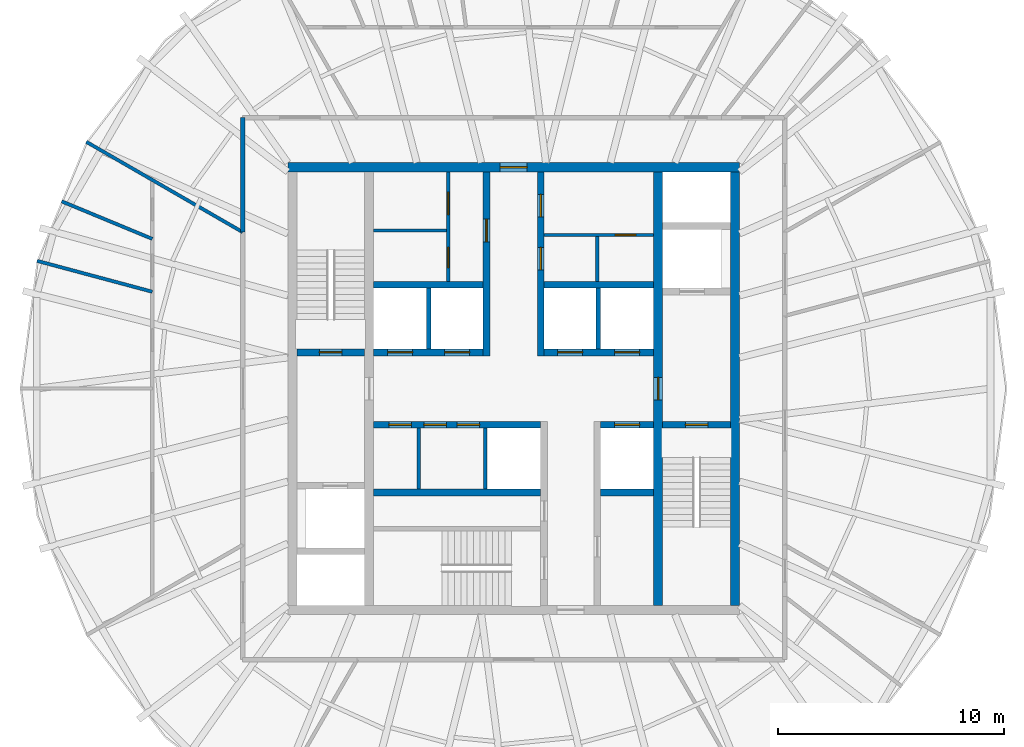
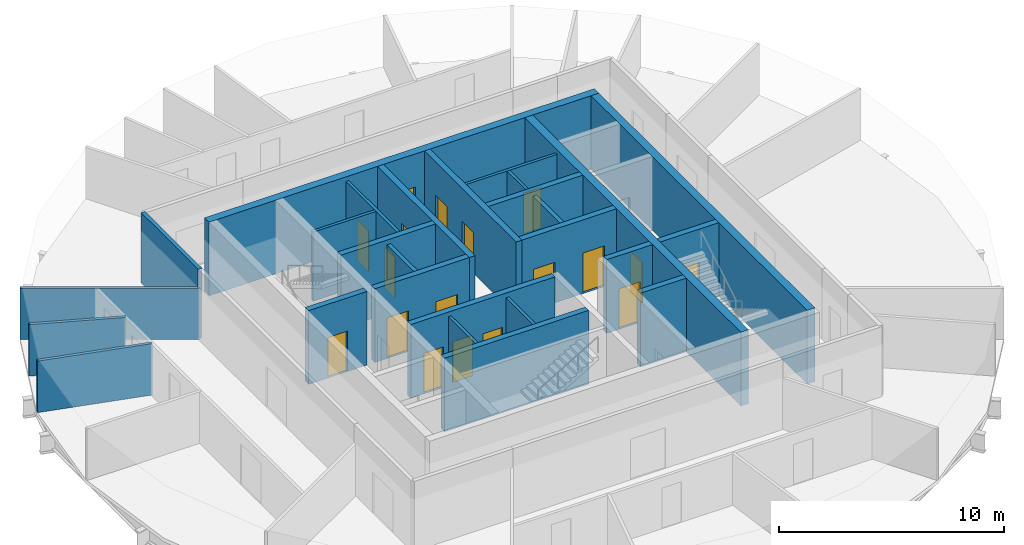
# One storey, part 4 of 7: 27 walls, 18 doors, 18 openings.
"""IFC4 building model written with IfcOpenShell, lengths in metres."""

from ifc_helpers import new_model, si_unit, direction, frame, frame_2d, origin, place, context, subcontext, project, spatial, rectangle, extrude, material, layer, layer_set, type_object, element, fill, save


model = new_model("IFC4")

# Units and contexts
model_context = context("Model", 3, precision=1e-05, world=origin(), true_north=direction((0.0, 1.0)))
body_context = subcontext(model_context, "Body", "Model", "MODEL_VIEW")
ifc_project = project(units=[si_unit("LENGTHUNIT", "METRE"), si_unit("AREAUNIT", "SQUARE_METRE"), si_unit("VOLUMEUNIT", "CUBIC_METRE"), si_unit("PLANEANGLEUNIT", "RADIAN"), si_unit("MASSUNIT", "GRAM", prefix="KILO")], contexts=[model_context])

# Site, building, storey
site_placement = place(None, origin())
site = spatial("IfcSite", under=ifc_project, at=site_placement, CompositionType="ELEMENT")
building_placement = place(site_placement, origin())
building = spatial("IfcBuilding", under=site, at=building_placement, Name="Golbaran Civic Tower", CompositionType="ELEMENT")
storey_placement = place(building_placement, frame((0.0, 0.0, 268.0)))
storey = spatial("IfcBuildingStorey", under=building, at=storey_placement, Name="L65", CompositionType="ELEMENT", Elevation=268.0)

# Wall, opening, door
ifc_material_1 = material(Name="Concrete block", Category="concrete")
ifc_layer_1 = layer(ifc_material_1, 0.14990234375, Name="Concrete block")
ifc_layer_set_1 = layer_set([ifc_layer_1], Name="Concrete block")
wall_type_1 = type_object("IfcWallType", Name="BLOCKWORK PARTITION 150", PredefinedType="PARTITIONING", material=ifc_layer_set_1)
wall_1_placement = place(storey_placement, frame((1.35009765625, 6.800048828125, 0.0), z_axis=(0.0, 0.0, 1.0), x_axis=(1.0, 0.0, 0.0)))
wall_1 = element("IfcWall", 1, at=wall_1_placement, inside=storey, type_object=wall_type_1, Name="Toilet block partition TN1 L65", PredefinedType="PARTITIONING", context=body_context, shape_type="SweptSolid", body=[
    extrude(rectangle(XDim=4.849853515625, YDim=0.14990234375, at=frame_2d((2.4248046875, 0.0))), origin(), (0.0, 0.0, 1.0), 3.75),
])
opening_1_placement = place(wall_1_placement, frame((3.14990234375, 0.0, 0.0)))
opening_1 = element("IfcOpeningElement", 2, at=opening_1_placement, cuts=wall_1, Name="Opening L65.CLN", PredefinedType="OPENING", context=body_context, shape_type="SweptSolid", body=[
    extrude(rectangle(XDim=0.89990234375, YDim=2.199951171875, at=frame_2d((0.449951171875, 1.10009765625))), frame((0.0, 0.0849609375, 0.0), z_axis=(0.0, -1.0, 0.0), x_axis=(1.0, 0.0, 0.0)), (0.0, 0.0, 1.0), 0.169921875),
])
ifc_material_2 = material(Name="Timber door set in steel frame", Category="steel")
door_type_1 = type_object("IfcDoorType", Name="RISER DOOR 900x2200", OperationType="SINGLE_SWING_LEFT", PredefinedType="DOOR", material=ifc_material_2)
door_1_placement = place(opening_1_placement, origin())
door_1 = element("IfcDoor", 3, at=door_1_placement, inside=storey, type_object=door_type_1, Name="Floor Store door", OperationType="SINGLE_SWING_RIGHT", OverallHeight=2.199951171875, OverallWidth=0.89990234375, PredefinedType="DOOR", context=body_context, shape_type="SweptSolid", body=[
    extrude(rectangle(XDim=0.89990234375, YDim=2.199951171875, at=frame_2d((0.449951171875, 1.10009765625))), frame((0.0, 0.02490234375, 0.0), z_axis=(0.0, -1.0, 0.0), x_axis=(1.0, 0.0, 0.0)), (0.0, 0.0, 1.0), 0.050048828125),
])
fill(opening_1, door_1)

# Walls
wall_2_placement = place(storey_placement, frame((3.699951171875, 4.75, 0.0), z_axis=(0.0, 0.0, 1.0), x_axis=(0.0, 1.0, 0.0)))
element("IfcWall", 4, at=wall_2_placement, inside=storey, type_object=wall_type_1, Name="Toilet block partition TN2 L65", PredefinedType="PARTITIONING", context=body_context, shape_type="SweptSolid", body=[
    extrude(rectangle(XDim=1.97509765625, YDim=0.14990234375, at=frame_2d((0.987548828125, 0.0))), origin(), (0.0, 0.0, 1.0), 3.75),
])
for number, where, z_axis, x_axis, name in (
    (5, (-4.199951171875, -1.75, 0.0), (0.0, 0.0, 1.0), (0.0, -1.0, 0.0), "Core room partition HP0 L65"),
    (6, (-1.25, -1.75, 0.0), (0.0, 0.0, 1.0), (0.0, -1.0, 0.0), "Lift H3 hoistway west wall L65"),
):
    element("IfcWall", number, at=place(storey_placement, frame(where, z_axis=z_axis, x_axis=x_axis)), inside=storey, type_object=wall_type_1, Name=name, PredefinedType="PARTITIONING", context=body_context, shape_type="SweptSolid", body=[
        extrude(rectangle(XDim=2.699951171875, YDim=0.14990234375, at=frame_2d((1.35009765625, 0.0))), origin(), (0.0, 0.0, 1.0), 3.75),
    ])

# Wall, opening, door
ifc_material_3 = material(Name="Concrete C50/60", Category="concrete")
ifc_layer_2 = layer(ifc_material_3, 0.39990234375, Name="Concrete C50/60")
ifc_layer_set_2 = layer_set([ifc_layer_2], Name="Concrete C50/60")
wall_type_2 = type_object("IfcWallType", Name="CORE WALL CONCRETE 400", PredefinedType="SOLIDWALL", material=ifc_layer_set_2)
wall_3_placement = place(storey_placement, frame((-10.0, 9.800048828125, 0.0), z_axis=(0.0, 0.0, 1.0), x_axis=(1.0, 0.0, 0.0)))
wall_3 = element("IfcWall", 7, at=wall_3_placement, inside=storey, type_object=wall_type_2, Name="Core wall CN L65", PredefinedType="SOLIDWALL", context=body_context, shape_type="SweptSolid", body=[
    extrude(rectangle(XDim=20.0, YDim=0.39990234375, at=frame_2d((10.0, 0.0))), origin(), (0.0, 0.0, 1.0), 4.0),
])
opening_2_placement = place(wall_3_placement, frame((9.39990234375, 0.0, 0.0)))
opening_2 = element("IfcOpeningElement", 8, at=opening_2_placement, cuts=wall_3, Name="Opening L65.CN", PredefinedType="OPENING", context=body_context, shape_type="SweptSolid", body=[
    extrude(rectangle(XDim=1.199951171875, YDim=2.199951171875, at=frame_2d((0.60009765625, 1.10009765625))), frame((0.0, 0.2099609375, 0.0), z_axis=(0.0, -1.0, 0.0), x_axis=(1.0, 0.0, 0.0)), (0.0, 0.0, 1.0), 0.419921875),
])
door_type_2 = type_object("IfcDoorType", Name="CORE DOOR 1200x2200", OperationType="DOUBLE_DOOR_SINGLE_SWING", PredefinedType="DOOR", material=ifc_material_2)
door_2_placement = place(opening_2_placement, origin())
door_2 = element("IfcDoor", 9, at=door_2_placement, inside=storey, type_object=door_type_2, Name="Core door north", OperationType="DOUBLE_DOOR_SINGLE_SWING", OverallHeight=2.199951171875, OverallWidth=1.199951171875, PredefinedType="DOOR", context=body_context, shape_type="SweptSolid", body=[
    extrude(rectangle(XDim=1.199951171875, YDim=2.199951171875, at=frame_2d((0.60009765625, 1.10009765625))), frame((0.0, 0.02490234375, 0.0), z_axis=(0.0, -1.0, 0.0), x_axis=(1.0, 0.0, 0.0)), (0.0, 0.0, 1.0), 0.050048828125),
])
fill(opening_2, door_2)

# Wall
wall_4_placement = place(storey_placement, frame((9.800048828125, -9.60009765625, 0.0), z_axis=(0.0, 0.0, 1.0), x_axis=(0.0, 1.0, 0.0)))
element("IfcWall", 10, at=wall_4_placement, inside=storey, type_object=wall_type_2, Name="Core wall CE L65", PredefinedType="SOLIDWALL", context=body_context, shape_type="SweptSolid", body=[
    extrude(rectangle(XDim=19.2001953125, YDim=0.39990234375, at=frame_2d((9.60009765625, 0.0))), origin(), (0.0, 0.0, 1.0), 4.0),
])

# Wall, opening, door
wall_5_placement = place(storey_placement, frame((6.39990234375, 9.60009765625, 0.0), z_axis=(0.0, 0.0, 1.0), x_axis=(0.0, -1.0, 0.0)))
wall_5 = element("IfcWall", 11, at=wall_5_placement, inside=storey, type_object=wall_type_2, Name="Core wall IE L65", PredefinedType="SOLIDWALL", context=body_context, shape_type="SweptSolid", body=[
    extrude(rectangle(XDim=19.2001953125, YDim=0.39990234375, at=frame_2d((9.60009765625, 0.0))), origin(), (0.0, 0.0, 1.0), 4.0),
])
opening_3_placement = place(wall_5_placement, frame((9.10009765625, 0.0, 0.0)))
opening_3 = element("IfcOpeningElement", 12, at=opening_3_placement, cuts=wall_5, Name="Opening L65.FL2", PredefinedType="OPENING", context=body_context, shape_type="SweptSolid", body=[
    extrude(rectangle(XDim=1.0, YDim=2.199951171875, at=frame_2d((0.5, 1.10009765625))), frame((0.0, 0.2099609375, 0.0), z_axis=(0.0, -1.0, 0.0), x_axis=(1.0, 0.0, 0.0)), (0.0, 0.0, 1.0), 0.419921875),
])
door_type_3 = type_object("IfcDoorType", Name="STAIR DOOR 1000x2200", OperationType="SINGLE_SWING_LEFT", PredefinedType="DOOR", material=ifc_material_2)
door_3_placement = place(opening_3_placement, origin())
door_3 = element("IfcDoor", 13, at=door_3_placement, inside=storey, type_object=door_type_3, Name="Fire-fighting lobby FL2 door", OperationType="SINGLE_SWING_RIGHT", OverallHeight=2.199951171875, OverallWidth=1.0, PredefinedType="DOOR", context=body_context, shape_type="SweptSolid", body=[
    extrude(rectangle(XDim=1.0, YDim=2.199951171875, at=frame_2d((0.5, 1.10009765625))), frame((0.0, 0.02490234375, 0.0), z_axis=(0.0, -1.0, 0.0), x_axis=(1.0, 0.0, 0.0)), (0.0, 0.0, 1.0), 0.050048828125),
])
fill(opening_3, door_3)

# Walls
ifc_material_4 = material(Name="Gypsum board on steel studs, fire-rated", Category="steel")
ifc_layer_3 = layer(ifc_material_4, 0.199951171875, Name="Gypsum board on steel studs, fire-rated")
ifc_layer_set_3 = layer_set([ifc_layer_3], Name="Gypsum board on steel studs, fire-rated")
wall_type_3 = type_object("IfcWallType", Name="CORRIDOR WALL 200", PredefinedType="PARTITIONING", material=ifc_layer_set_3)
wall_6_placement = place(storey_placement, frame((-12.0, 12.0, 0.0), z_axis=(0.0, 0.0, 1.0), x_axis=(0.0, -1.0, 0.0)))
element("IfcWall", 14, at=wall_6_placement, inside=storey, type_object=wall_type_3, Name="Corridor wall L65", PredefinedType="PARTITIONING", context=body_context, shape_type="SweptSolid", body=[
    extrude(rectangle(XDim=5.07177734375, YDim=0.199951171875, at=frame_2d((2.535888671875, 0.0))), origin(), (0.0, 0.0, 1.0), 3.800048828125),
])
ifc_layer_4 = layer(ifc_material_1, 0.199951171875, Name="Concrete block")
ifc_layer_set_4 = layer_set([ifc_layer_4], Name="Concrete block")
wall_type_4 = type_object("IfcWallType", Name="LIFT SEPARATOR WALL 200", PredefinedType="SOLIDWALL", material=ifc_layer_set_4)
for number, where, z_axis, x_axis, name in (
    (15, (-3.75, 1.75, 0.0), (0.0, 0.0, 1.0), (0.0, 1.0, 0.0), "Core partition SNW L65"),
    (16, (3.75, 1.75, 0.0), (0.0, 0.0, 1.0), (0.0, 1.0, 0.0), "Core partition SNE L65"),
):
    element("IfcWall", number, at=place(storey_placement, frame(where, z_axis=z_axis, x_axis=x_axis)), inside=storey, type_object=wall_type_4, Name=name, PredefinedType="SOLIDWALL", context=body_context, shape_type="SweptSolid", body=[
        extrude(rectangle(XDim=2.699951171875, YDim=0.199951171875, at=frame_2d((1.35009765625, 0.0))), origin(), (0.0, 0.0, 1.0), 3.75),
    ])
ifc_material_5 = material(Name="Gypsum board on steel studs", Category="steel")
ifc_layer_5 = layer(ifc_material_5, 0.14990234375, Name="Gypsum board on steel studs")
ifc_layer_set_5 = layer_set([ifc_layer_5], Name="Gypsum board on steel studs")
wall_type_5 = type_object("IfcWallType", Name="OFFICE PARTITION 150", PredefinedType="PARTITIONING", material=ifc_layer_set_5)
wall_7_placement = place(storey_placement, frame((-12.0, 6.92822265625, 0.0), z_axis=(0.0, 0.0, 1.0), x_axis=(-0.86602940896, 0.499993062769, 0.0)))
element("IfcWall", 17, at=wall_7_placement, inside=storey, type_object=wall_type_5, Name="Partition 150 L65", PredefinedType="PARTITIONING", context=body_context, shape_type="SweptSolid", body=[
    extrude(rectangle(XDim=7.99169921875, YDim=0.14990234375, at=frame_2d((3.995849609375, 0.0))), origin(), (0.0, 0.0, 1.0), 2.7900390625),
])
wall_8_placement = place(storey_placement, frame((-16.0, 6.62744140625, 0.0), z_axis=(0.0, 0.0, 1.0), x_axis=(-0.923891455003, 0.382654647655, 0.0)))
element("IfcWall", 18, at=wall_8_placement, inside=storey, type_object=wall_type_5, Name="Partition 157.5 L65", PredefinedType="PARTITIONING", context=body_context, shape_type="SweptSolid", body=[
    extrude(rectangle(XDim=4.343017578125, YDim=0.14990234375, at=frame_2d((2.17138671875, 0.0))), origin(), (0.0, 0.0, 1.0), 2.7900390625),
])
wall_9_placement = place(storey_placement, frame((-16.0, 4.287109375, 0.0), z_axis=(0.0, 0.0, 1.0), x_axis=(-0.96591979472, 0.258841554175, 0.0)))
element("IfcWall", 19, at=wall_9_placement, inside=storey, type_object=wall_type_5, Name="Partition 165 L65", PredefinedType="PARTITIONING", context=body_context, shape_type="SweptSolid", body=[
    extrude(rectangle(XDim=5.283935546875, YDim=0.14990234375, at=frame_2d((2.64208984375, 0.0))), origin(), (0.0, 0.0, 1.0), 2.7900390625),
])

# Wall, openings, doors
ifc_layer_6 = layer(ifc_material_3, 0.300048828125, Name="Concrete C50/60")
ifc_layer_set_6 = layer_set([ifc_layer_6], Name="Concrete C50/60")
wall_type_6 = type_object("IfcWallType", Name="SHAFT WALL CONCRETE 300", PredefinedType="SOLIDWALL", material=ifc_layer_set_6)
wall_10_placement = place(storey_placement, frame((-6.199951171875, 1.60009765625, 0.0), z_axis=(0.0, 0.0, 1.0), x_axis=(1.0, 0.0, 0.0)))
wall_10 = element("IfcWall", 20, at=wall_10_placement, inside=storey, type_object=wall_type_6, Name="Core wall FNW L65", PredefinedType="SOLIDWALL", context=body_context, shape_type="SweptSolid", body=[
    extrude(rectangle(XDim=4.849853515625, YDim=0.300048828125, at=frame_2d((2.4248046875, 0.0))), origin(), (0.0, 0.0, 1.0), 4.0),
])
opening_4_placement = place(wall_10_placement, frame((0.625, 0.0, 0.0)))
opening_4 = element("IfcOpeningElement", 21, at=opening_4_placement, cuts=wall_10, Name="Opening L65.LD-Z1T", PredefinedType="OPENING", context=body_context, shape_type="SweptSolid", body=[
    extrude(rectangle(XDim=1.10009765625, YDim=2.199951171875, at=frame_2d((0.550048828125, 1.10009765625))), frame((0.0, 0.159912109375, 0.0), z_axis=(0.0, -1.0, 0.0), x_axis=(1.0, 0.0, 0.0)), (0.0, 0.0, 1.0), 0.320068359375),
])
opening_5_placement = place(wall_10_placement, frame((3.14990234375, 0.0, 0.0)))
opening_5 = element("IfcOpeningElement", 22, at=opening_5_placement, cuts=wall_10, Name="Opening L65.LD-Z2T", PredefinedType="OPENING", context=body_context, shape_type="SweptSolid", body=[
    extrude(rectangle(XDim=1.10009765625, YDim=2.199951171875, at=frame_2d((0.550048828125, 1.10009765625))), frame((0.0, 0.159912109375, 0.0), z_axis=(0.0, -1.0, 0.0), x_axis=(1.0, 0.0, 0.0)), (0.0, 0.0, 1.0), 0.320068359375),
])
ifc_material_6 = material(Name="Stainless steel", Category="steel")
door_type_4 = type_object("IfcDoorType", Name="LIFT LANDING DOOR 1100x2200", OperationType="SLIDING_TO_LEFT", PredefinedType="DOOR", material=ifc_material_6)
door_4_placement = place(opening_4_placement, origin())
door_4 = element("IfcDoor", 23, at=door_4_placement, inside=storey, type_object=door_type_4, Name="Lift landing door Z1T", OperationType="SLIDING_TO_LEFT", OverallHeight=2.199951171875, OverallWidth=1.10009765625, PredefinedType="DOOR", context=body_context, shape_type="SweptSolid", body=[
    extrude(rectangle(XDim=1.10009765625, YDim=2.199951171875, at=frame_2d((0.550048828125, 1.10009765625))), frame((0.0, 0.02490234375, 0.0), z_axis=(0.0, -1.0, 0.0), x_axis=(1.0, 0.0, 0.0)), (0.0, 0.0, 1.0), 0.050048828125),
])
fill(opening_4, door_4)
door_5_placement = place(opening_5_placement, origin())
door_5 = element("IfcDoor", 24, at=door_5_placement, inside=storey, type_object=door_type_4, Name="Lift landing door Z2T", OperationType="SLIDING_TO_LEFT", OverallHeight=2.199951171875, OverallWidth=1.10009765625, PredefinedType="DOOR", context=body_context, shape_type="SweptSolid", body=[
    extrude(rectangle(XDim=1.10009765625, YDim=2.199951171875, at=frame_2d((0.550048828125, 1.10009765625))), frame((0.0, 0.02490234375, 0.0), z_axis=(0.0, -1.0, 0.0), x_axis=(1.0, 0.0, 0.0)), (0.0, 0.0, 1.0), 0.050048828125),
])
fill(opening_5, door_5)

wall_11_placement = place(storey_placement, frame((1.35009765625, 1.60009765625, 0.0), z_axis=(0.0, 0.0, 1.0), x_axis=(1.0, 0.0, 0.0)))
wall_11 = element("IfcWall", 25, at=wall_11_placement, inside=storey, type_object=wall_type_6, Name="Core wall FNE L65", PredefinedType="SOLIDWALL", context=body_context, shape_type="SweptSolid", body=[
    extrude(rectangle(XDim=4.849853515625, YDim=0.300048828125, at=frame_2d((2.4248046875, 0.0))), origin(), (0.0, 0.0, 1.0), 4.0),
])
opening_6_placement = place(wall_11_placement, frame((0.60009765625, 0.0, 0.0)))
opening_6 = element("IfcOpeningElement", 26, at=opening_6_placement, cuts=wall_11, Name="Opening L65.LD-Z3T", PredefinedType="OPENING", context=body_context, shape_type="SweptSolid", body=[
    extrude(rectangle(XDim=1.10009765625, YDim=2.199951171875, at=frame_2d((0.550048828125, 1.10009765625))), frame((0.0, 0.159912109375, 0.0), z_axis=(0.0, -1.0, 0.0), x_axis=(1.0, 0.0, 0.0)), (0.0, 0.0, 1.0), 0.320068359375),
])
opening_7_placement = place(wall_11_placement, frame((3.125, 0.0, 0.0)))
opening_7 = element("IfcOpeningElement", 27, at=opening_7_placement, cuts=wall_11, Name="Opening L65.LD-Z4T", PredefinedType="OPENING", context=body_context, shape_type="SweptSolid", body=[
    extrude(rectangle(XDim=1.10009765625, YDim=2.199951171875, at=frame_2d((0.550048828125, 1.10009765625))), frame((0.0, 0.159912109375, 0.0), z_axis=(0.0, -1.0, 0.0), x_axis=(1.0, 0.0, 0.0)), (0.0, 0.0, 1.0), 0.320068359375),
])
door_6_placement = place(opening_6_placement, origin())
door_6 = element("IfcDoor", 28, at=door_6_placement, inside=storey, type_object=door_type_4, Name="Lift landing door Z3T", OperationType="SLIDING_TO_LEFT", OverallHeight=2.199951171875, OverallWidth=1.10009765625, PredefinedType="DOOR", context=body_context, shape_type="SweptSolid", body=[
    extrude(rectangle(XDim=1.10009765625, YDim=2.199951171875, at=frame_2d((0.550048828125, 1.10009765625))), frame((0.0, 0.02490234375, 0.0), z_axis=(0.0, -1.0, 0.0), x_axis=(1.0, 0.0, 0.0)), (0.0, 0.0, 1.0), 0.050048828125),
])
fill(opening_6, door_6)
door_7_placement = place(opening_7_placement, origin())
door_7 = element("IfcDoor", 29, at=door_7_placement, inside=storey, type_object=door_type_4, Name="Lift landing door Z4T", OperationType="SLIDING_TO_LEFT", OverallHeight=2.199951171875, OverallWidth=1.10009765625, PredefinedType="DOOR", context=body_context, shape_type="SweptSolid", body=[
    extrude(rectangle(XDim=1.10009765625, YDim=2.199951171875, at=frame_2d((0.550048828125, 1.10009765625))), frame((0.0, 0.02490234375, 0.0), z_axis=(0.0, -1.0, 0.0), x_axis=(1.0, 0.0, 0.0)), (0.0, 0.0, 1.0), 0.050048828125),
])
fill(opening_7, door_7)

# Walls
for number, where, z_axis, x_axis, name in (
    (30, (-6.199951171875, 4.60009765625, 0.0), (0.0, 0.0, 1.0), (1.0, 0.0, 0.0), "Core wall BNW L65"),
    (31, (1.35009765625, 4.60009765625, 0.0), (0.0, 0.0, 1.0), (1.0, 0.0, 0.0), "Core wall BNE L65"),
):
    element("IfcWall", number, at=place(storey_placement, frame(where, z_axis=z_axis, x_axis=x_axis)), inside=storey, type_object=wall_type_6, Name=name, PredefinedType="SOLIDWALL", context=body_context, shape_type="SweptSolid", body=[
        extrude(rectangle(XDim=4.849853515625, YDim=0.300048828125, at=frame_2d((2.4248046875, 0.0))), origin(), (0.0, 0.0, 1.0), 4.0),
    ])

# Wall, opening, door
wall_12_placement = place(storey_placement, frame((-1.199951171875, 1.449951171875, 0.0), z_axis=(0.0, 0.0, 1.0), x_axis=(0.0, 1.0, 0.0)))
wall_12 = element("IfcWall", 32, at=wall_12_placement, inside=storey, type_object=wall_type_6, Name="Core wall PNW L65", PredefinedType="SOLIDWALL", context=body_context, shape_type="SweptSolid", body=[
    extrude(rectangle(XDim=8.150146484375, YDim=0.300048828125, at=frame_2d((4.0751953125, 0.0))), origin(), (0.0, 0.0, 1.0), 4.0),
])
opening_8_placement = place(wall_12_placement, frame((5.050048828125, 0.0, 0.0)))
opening_8 = element("IfcOpeningElement", 33, at=opening_8_placement, cuts=wall_12, Name="Opening L65.WCM", PredefinedType="OPENING", context=body_context, shape_type="SweptSolid", body=[
    extrude(rectangle(XDim=1.0, YDim=2.199951171875, at=frame_2d((0.5, 1.10009765625))), frame((0.0, 0.159912109375, 0.0), z_axis=(0.0, -1.0, 0.0), x_axis=(1.0, 0.0, 0.0)), (0.0, 0.0, 1.0), 0.320068359375),
])
door_type_5 = type_object("IfcDoorType", Name="TOILET DOOR 1000x2200", OperationType="SINGLE_SWING_LEFT", PredefinedType="DOOR", material=ifc_material_2)
door_8_placement = place(opening_8_placement, origin())
door_8 = element("IfcDoor", 34, at=door_8_placement, inside=storey, type_object=door_type_5, Name="North-west toilet block door", OperationType="SINGLE_SWING_RIGHT", OverallHeight=2.199951171875, OverallWidth=1.0, PredefinedType="DOOR", context=body_context, shape_type="SweptSolid", body=[
    extrude(rectangle(XDim=1.0, YDim=2.199951171875, at=frame_2d((0.5, 1.10009765625))), frame((0.0, 0.02490234375, 0.0), z_axis=(0.0, -1.0, 0.0), x_axis=(1.0, 0.0, 0.0)), (0.0, 0.0, 1.0), 0.050048828125),
])
fill(opening_8, door_8)

# Wall, openings, doors
wall_13_placement = place(storey_placement, frame((1.199951171875, 1.449951171875, 0.0), z_axis=(0.0, 0.0, 1.0), x_axis=(0.0, 1.0, 0.0)))
wall_13 = element("IfcWall", 35, at=wall_13_placement, inside=storey, type_object=wall_type_6, Name="Core wall PNE L65", PredefinedType="SOLIDWALL", context=body_context, shape_type="SweptSolid", body=[
    extrude(rectangle(XDim=8.150146484375, YDim=0.300048828125, at=frame_2d((4.0751953125, 0.0))), origin(), (0.0, 0.0, 1.0), 4.0),
])
opening_9_placement = place(wall_13_placement, frame((3.800048828125, 0.0, 0.0)))
opening_9 = element("IfcOpeningElement", 36, at=opening_9_placement, cuts=wall_13, Name="Opening L65.WCA", PredefinedType="OPENING", context=body_context, shape_type="SweptSolid", body=[
    extrude(rectangle(XDim=1.0, YDim=2.199951171875, at=frame_2d((0.5, 1.10009765625))), frame((0.0, 0.159912109375, 0.0), z_axis=(0.0, -1.0, 0.0), x_axis=(1.0, 0.0, 0.0)), (0.0, 0.0, 1.0), 0.320068359375),
])
opening_10_placement = place(wall_13_placement, frame((6.14990234375, 0.0, 0.0)))
opening_10 = element("IfcOpeningElement", 37, at=opening_10_placement, cuts=wall_13, Name="Opening L65.WCF", PredefinedType="OPENING", context=body_context, shape_type="SweptSolid", body=[
    extrude(rectangle(XDim=1.0, YDim=2.199951171875, at=frame_2d((0.5, 1.10009765625))), frame((0.0, 0.159912109375, 0.0), z_axis=(0.0, -1.0, 0.0), x_axis=(1.0, 0.0, 0.0)), (0.0, 0.0, 1.0), 0.320068359375),
])
door_9_placement = place(opening_9_placement, origin())
door_9 = element("IfcDoor", 38, at=door_9_placement, inside=storey, type_object=door_type_5, Name="Accessible WC door", OperationType="SINGLE_SWING_RIGHT", OverallHeight=2.199951171875, OverallWidth=1.0, PredefinedType="DOOR", context=body_context, shape_type="SweptSolid", body=[
    extrude(rectangle(XDim=1.0, YDim=2.199951171875, at=frame_2d((0.5, 1.10009765625))), frame((0.0, 0.02490234375, 0.0), z_axis=(0.0, -1.0, 0.0), x_axis=(1.0, 0.0, 0.0)), (0.0, 0.0, 1.0), 0.050048828125),
])
fill(opening_9, door_9)
door_10_placement = place(opening_10_placement, origin())
door_10 = element("IfcDoor", 39, at=door_10_placement, inside=storey, type_object=door_type_5, Name="North-east toilet block door", OperationType="SINGLE_SWING_RIGHT", OverallHeight=2.199951171875, OverallWidth=1.0, PredefinedType="DOOR", context=body_context, shape_type="SweptSolid", body=[
    extrude(rectangle(XDim=1.0, YDim=2.199951171875, at=frame_2d((0.5, 1.10009765625))), frame((0.0, 0.02490234375, 0.0), z_axis=(0.0, -1.0, 0.0), x_axis=(1.0, 0.0, 0.0)), (0.0, 0.0, 1.0), 0.050048828125),
])
fill(opening_10, door_10)

wall_14_placement = place(storey_placement, frame((-6.199951171875, -1.60009765625, 0.0), z_axis=(0.0, 0.0, 1.0), x_axis=(1.0, 0.0, 0.0)))
wall_14 = element("IfcWall", 40, at=wall_14_placement, inside=storey, type_object=wall_type_6, Name="Core wall FSW L65", PredefinedType="SOLIDWALL", context=body_context, shape_type="SweptSolid", body=[
    extrude(rectangle(XDim=7.39990234375, YDim=0.300048828125, at=frame_2d((3.699951171875, 0.0))), origin(), (0.0, 0.0, 1.0), 4.0),
])
opening_11_placement = place(wall_14_placement, frame((0.675048828125, 0.0, 0.0)))
opening_11 = element("IfcOpeningElement", 41, at=opening_11_placement, cuts=wall_14, Name="Opening L65.H1R", PredefinedType="OPENING", context=body_context, shape_type="SweptSolid", body=[
    extrude(rectangle(XDim=1.0, YDim=2.199951171875, at=frame_2d((0.5, 1.10009765625))), frame((0.0, 0.159912109375, 0.0), z_axis=(0.0, -1.0, 0.0), x_axis=(1.0, 0.0, 0.0)), (0.0, 0.0, 1.0), 0.320068359375),
])
opening_12_placement = place(wall_14_placement, frame((2.22509765625, 0.0, 0.0)))
opening_12 = element("IfcOpeningElement", 42, at=opening_12_placement, cuts=wall_14, Name="Opening L65.H2R", PredefinedType="OPENING", context=body_context, shape_type="SweptSolid", body=[
    extrude(rectangle(XDim=1.0, YDim=2.199951171875, at=frame_2d((0.5, 1.10009765625))), frame((0.0, 0.159912109375, 0.0), z_axis=(0.0, -1.0, 0.0), x_axis=(1.0, 0.0, 0.0)), (0.0, 0.0, 1.0), 0.320068359375),
])
opening_13_placement = place(wall_14_placement, frame((3.695068359375, 0.0, 0.0)))
opening_13 = element("IfcOpeningElement", 43, at=opening_13_placement, cuts=wall_14, Name="Opening L65.H3R", PredefinedType="OPENING", context=body_context, shape_type="SweptSolid", body=[
    extrude(rectangle(XDim=1.0, YDim=2.199951171875, at=frame_2d((0.5, 1.10009765625))), frame((0.0, 0.159912109375, 0.0), z_axis=(0.0, -1.0, 0.0), x_axis=(1.0, 0.0, 0.0)), (0.0, 0.0, 1.0), 0.320068359375),
])
door_type_6 = type_object("IfcDoorType", Name="CORE ROOM DOOR 1000x2200", OperationType="SINGLE_SWING_LEFT", PredefinedType="DOOR", material=ifc_material_2)
door_11_placement = place(opening_11_placement, origin())
door_11 = element("IfcDoor", 44, at=door_11_placement, inside=storey, type_object=door_type_6, Name="Archive Store door", OperationType="SINGLE_SWING_LEFT", OverallHeight=2.199951171875, OverallWidth=1.0, PredefinedType="DOOR", context=body_context, shape_type="SweptSolid", body=[
    extrude(rectangle(XDim=1.0, YDim=2.199951171875, at=frame_2d((0.5, 1.10009765625))), frame((0.0, 0.02490234375, 0.0), z_axis=(0.0, -1.0, 0.0), x_axis=(1.0, 0.0, 0.0)), (0.0, 0.0, 1.0), 0.050048828125),
])
fill(opening_11, door_11)
door_12_placement = place(opening_12_placement, origin())
door_12 = element("IfcDoor", 45, at=door_12_placement, inside=storey, type_object=door_type_6, Name="IT and Comms Room door", OperationType="SINGLE_SWING_LEFT", OverallHeight=2.199951171875, OverallWidth=1.0, PredefinedType="DOOR", context=body_context, shape_type="SweptSolid", body=[
    extrude(rectangle(XDim=1.0, YDim=2.199951171875, at=frame_2d((0.5, 1.10009765625))), frame((0.0, 0.02490234375, 0.0), z_axis=(0.0, -1.0, 0.0), x_axis=(1.0, 0.0, 0.0)), (0.0, 0.0, 1.0), 0.050048828125),
])
fill(opening_12, door_12)
door_13_placement = place(opening_13_placement, origin())
door_13 = element("IfcDoor", 46, at=door_13_placement, inside=storey, type_object=door_type_6, Name="IT and Comms Room door", OperationType="SINGLE_SWING_RIGHT", OverallHeight=2.199951171875, OverallWidth=1.0, PredefinedType="DOOR", context=body_context, shape_type="SweptSolid", body=[
    extrude(rectangle(XDim=1.0, YDim=2.199951171875, at=frame_2d((0.5, 1.10009765625))), frame((0.0, 0.02490234375, 0.0), z_axis=(0.0, -1.0, 0.0), x_axis=(1.0, 0.0, 0.0)), (0.0, 0.0, 1.0), 0.050048828125),
])
fill(opening_13, door_13)

# Wall, opening, door
wall_15_placement = place(storey_placement, frame((3.85009765625, -1.60009765625, 0.0), z_axis=(0.0, 0.0, 1.0), x_axis=(1.0, 0.0, 0.0)))
wall_15 = element("IfcWall", 47, at=wall_15_placement, inside=storey, type_object=wall_type_6, Name="Core wall FSE L65", PredefinedType="SOLIDWALL", context=body_context, shape_type="SweptSolid", body=[
    extrude(rectangle(XDim=2.349853515625, YDim=0.300048828125, at=frame_2d((1.1748046875, 0.0))), origin(), (0.0, 0.0, 1.0), 4.0),
])
opening_14_placement = place(wall_15_placement, frame((0.625, 0.0, 0.0)))
opening_14 = element("IfcOpeningElement", 48, at=opening_14_placement, cuts=wall_15, Name="Opening L65.LD-V1", PredefinedType="OPENING", context=body_context, shape_type="SweptSolid", body=[
    extrude(rectangle(XDim=1.10009765625, YDim=2.199951171875, at=frame_2d((0.550048828125, 1.10009765625))), frame((0.0, 0.159912109375, 0.0), z_axis=(0.0, -1.0, 0.0), x_axis=(1.0, 0.0, 0.0)), (0.0, 0.0, 1.0), 0.320068359375),
])
door_14_placement = place(opening_14_placement, origin())
door_14 = element("IfcDoor", 49, at=door_14_placement, inside=storey, type_object=door_type_4, Name="Lift landing door V1", OperationType="SLIDING_TO_LEFT", OverallHeight=2.199951171875, OverallWidth=1.10009765625, PredefinedType="DOOR", context=body_context, shape_type="SweptSolid", body=[
    extrude(rectangle(XDim=1.10009765625, YDim=2.199951171875, at=frame_2d((0.550048828125, 1.10009765625))), frame((0.0, 0.02490234375, 0.0), z_axis=(0.0, -1.0, 0.0), x_axis=(1.0, 0.0, 0.0)), (0.0, 0.0, 1.0), 0.050048828125),
])
fill(opening_14, door_14)

# Walls
wall_16_placement = place(storey_placement, frame((-6.199951171875, -4.60009765625, 0.0), z_axis=(0.0, 0.0, 1.0), x_axis=(1.0, 0.0, 0.0)))
element("IfcWall", 50, at=wall_16_placement, inside=storey, type_object=wall_type_6, Name="Core wall BSW L65", PredefinedType="SOLIDWALL", context=body_context, shape_type="SweptSolid", body=[
    extrude(rectangle(XDim=7.39990234375, YDim=0.300048828125, at=frame_2d((3.699951171875, 0.0))), origin(), (0.0, 0.0, 1.0), 4.0),
])
wall_17_placement = place(storey_placement, frame((3.85009765625, -4.60009765625, 0.0), z_axis=(0.0, 0.0, 1.0), x_axis=(1.0, 0.0, 0.0)))
element("IfcWall", 51, at=wall_17_placement, inside=storey, type_object=wall_type_6, Name="Core wall BSE L65", PredefinedType="SOLIDWALL", context=body_context, shape_type="SweptSolid", body=[
    extrude(rectangle(XDim=2.349853515625, YDim=0.300048828125, at=frame_2d((1.1748046875, 0.0))), origin(), (0.0, 0.0, 1.0), 4.0),
])

# Wall, opening, door
wall_18_placement = place(storey_placement, frame((-9.60009765625, 1.60009765625, 0.0), z_axis=(0.0, 0.0, 1.0), x_axis=(1.0, 0.0, 0.0)))
wall_18 = element("IfcWall", 52, at=wall_18_placement, inside=storey, type_object=wall_type_6, Name="Core wall XW1 L65", PredefinedType="SOLIDWALL", context=body_context, shape_type="SweptSolid", body=[
    extrude(rectangle(XDim=3.0, YDim=0.300048828125, at=frame_2d((1.5, 0.0))), origin(), (0.0, 0.0, 1.0), 4.0),
])
opening_15_placement = place(wall_18_placement, frame((1.0, 0.0, 0.0)))
opening_15 = element("IfcOpeningElement", 53, at=opening_15_placement, cuts=wall_18, Name="Opening L65.S1", PredefinedType="OPENING", context=body_context, shape_type="SweptSolid", body=[
    extrude(rectangle(XDim=1.0, YDim=2.199951171875, at=frame_2d((0.5, 1.10009765625))), frame((0.0, 0.159912109375, 0.0), z_axis=(0.0, -1.0, 0.0), x_axis=(1.0, 0.0, 0.0)), (0.0, 0.0, 1.0), 0.320068359375),
])
door_15_placement = place(opening_15_placement, origin())
door_15 = element("IfcDoor", 54, at=door_15_placement, inside=storey, type_object=door_type_3, Name="Stair S1 door", OperationType="SINGLE_SWING_LEFT", OverallHeight=2.199951171875, OverallWidth=1.0, PredefinedType="DOOR", context=body_context, shape_type="SweptSolid", body=[
    extrude(rectangle(XDim=1.0, YDim=2.199951171875, at=frame_2d((0.5, 1.10009765625))), frame((0.0, 0.02490234375, 0.0), z_axis=(0.0, -1.0, 0.0), x_axis=(1.0, 0.0, 0.0)), (0.0, 0.0, 1.0), 0.050048828125),
])
fill(opening_15, door_15)

wall_19_placement = place(storey_placement, frame((6.60009765625, -1.60009765625, 0.0), z_axis=(0.0, 0.0, 1.0), x_axis=(1.0, 0.0, 0.0)))
wall_19 = element("IfcWall", 55, at=wall_19_placement, inside=storey, type_object=wall_type_6, Name="Core wall XE1 L65", PredefinedType="SOLIDWALL", context=body_context, shape_type="SweptSolid", body=[
    extrude(rectangle(XDim=3.0, YDim=0.300048828125, at=frame_2d((1.5, 0.0))), origin(), (0.0, 0.0, 1.0), 4.0),
])
opening_16_placement = place(wall_19_placement, frame((1.0, 0.0, 0.0)))
opening_16 = element("IfcOpeningElement", 56, at=opening_16_placement, cuts=wall_19, Name="Opening L65.S2", PredefinedType="OPENING", context=body_context, shape_type="SweptSolid", body=[
    extrude(rectangle(XDim=1.0, YDim=2.199951171875, at=frame_2d((0.5, 1.10009765625))), frame((0.0, 0.159912109375, 0.0), z_axis=(0.0, -1.0, 0.0), x_axis=(1.0, 0.0, 0.0)), (0.0, 0.0, 1.0), 0.320068359375),
])
door_16_placement = place(opening_16_placement, origin())
door_16 = element("IfcDoor", 57, at=door_16_placement, inside=storey, type_object=door_type_3, Name="Stair S2 door", OperationType="SINGLE_SWING_LEFT", OverallHeight=2.199951171875, OverallWidth=1.0, PredefinedType="DOOR", context=body_context, shape_type="SweptSolid", body=[
    extrude(rectangle(XDim=1.0, YDim=2.199951171875, at=frame_2d((0.5, 1.10009765625))), frame((0.0, 0.02490234375, 0.0), z_axis=(0.0, -1.0, 0.0), x_axis=(1.0, 0.0, 0.0)), (0.0, 0.0, 1.0), 0.050048828125),
])
fill(opening_16, door_16)

# Wall, openings, doors
ifc_material_7 = material(Name="Moisture-resistant gypsum board on steel studs", Category="steel")
ifc_layer_7 = layer(ifc_material_7, 0.14990234375, Name="Moisture-resistant gypsum board on steel studs")
ifc_layer_set_7 = layer_set([ifc_layer_7], Name="Moisture-resistant gypsum board on steel studs")
wall_type_7 = type_object("IfcWallType", Name="TOILET BLOCK PARTITION 150", PredefinedType="PARTITIONING", material=ifc_layer_set_7)
wall_20_placement = place(storey_placement, frame((-2.89990234375, 4.75, 0.0), z_axis=(0.0, 0.0, 1.0), x_axis=(0.0, 1.0, 0.0)))
wall_20 = element("IfcWall", 58, at=wall_20_placement, inside=storey, type_object=wall_type_7, Name="Toilet block partition MWL L65", PredefinedType="PARTITIONING", context=body_context, shape_type="SweptSolid", body=[
    extrude(rectangle(XDim=4.85009765625, YDim=0.14990234375, at=frame_2d((2.425048828125, 0.0))), origin(), (0.0, 0.0, 1.0), 3.75),
])
opening_17_placement = place(wall_20_placement, frame((2.949951171875, 0.0, 0.0)))
opening_17 = element("IfcOpeningElement", 59, at=opening_17_placement, cuts=wall_20, Name="Opening L65.26", PredefinedType="OPENING", context=body_context, shape_type="SweptSolid", body=[
    extrude(rectangle(XDim=1.0, YDim=2.199951171875, at=frame_2d((0.5, 1.10009765625))), frame((0.0, 0.0849609375, 0.0), z_axis=(0.0, -1.0, 0.0), x_axis=(1.0, 0.0, 0.0)), (0.0, 0.0, 1.0), 0.169921875),
])
opening_18_placement = place(wall_20_placement, frame((0.60009765625, 0.0, 0.0)))
opening_18 = element("IfcOpeningElement", 60, at=opening_18_placement, cuts=wall_20, Name="Opening L65.01", PredefinedType="OPENING", context=body_context, shape_type="SweptSolid", body=[
    extrude(rectangle(XDim=0.89990234375, YDim=2.199951171875, at=frame_2d((0.449951171875, 1.10009765625))), frame((0.0, 0.0849609375, 0.0), z_axis=(0.0, -1.0, 0.0), x_axis=(1.0, 0.0, 0.0)), (0.0, 0.0, 1.0), 0.169921875),
])
door_17_placement = place(opening_18_placement, origin())
door_17 = element("IfcDoor", 61, at=door_17_placement, inside=storey, type_object=door_type_1, Name="IT and comms room door", OperationType="SINGLE_SWING_LEFT", OverallHeight=2.199951171875, OverallWidth=0.89990234375, PredefinedType="DOOR", context=body_context, shape_type="SweptSolid", body=[
    extrude(rectangle(XDim=0.89990234375, YDim=2.199951171875, at=frame_2d((0.449951171875, 1.10009765625))), frame((0.0, 0.02490234375, 0.0), z_axis=(0.0, -1.0, 0.0), x_axis=(1.0, 0.0, 0.0)), (0.0, 0.0, 1.0), 0.050048828125),
])
fill(opening_18, door_17)
door_18_placement = place(opening_17_placement, origin())
door_18 = element("IfcDoor", 62, at=door_18_placement, inside=storey, type_object=door_type_5, Name="Female WC door", OperationType="SINGLE_SWING_RIGHT", OverallHeight=2.199951171875, OverallWidth=1.0, PredefinedType="DOOR", context=body_context, shape_type="SweptSolid", body=[
    extrude(rectangle(XDim=1.0, YDim=2.199951171875, at=frame_2d((0.5, 1.10009765625))), frame((0.0, 0.02490234375, 0.0), z_axis=(0.0, -1.0, 0.0), x_axis=(1.0, 0.0, 0.0)), (0.0, 0.0, 1.0), 0.050048828125),
])
fill(opening_17, door_18)

# Wall
wall_21_placement = place(storey_placement, frame((-6.199951171875, 7.0, 0.0), z_axis=(0.0, 0.0, 1.0), x_axis=(1.0, 0.0, 0.0)))
element("IfcWall", 63, at=wall_21_placement, inside=storey, type_object=wall_type_7, Name="Toilet block partition MWX L65", PredefinedType="PARTITIONING", context=body_context, shape_type="SweptSolid", body=[
    extrude(rectangle(XDim=3.224853515625, YDim=0.14990234375, at=frame_2d((1.6123046875, 0.0))), origin(), (0.0, 0.0, 1.0), 3.75),
])

save(model, "model.ifc")
